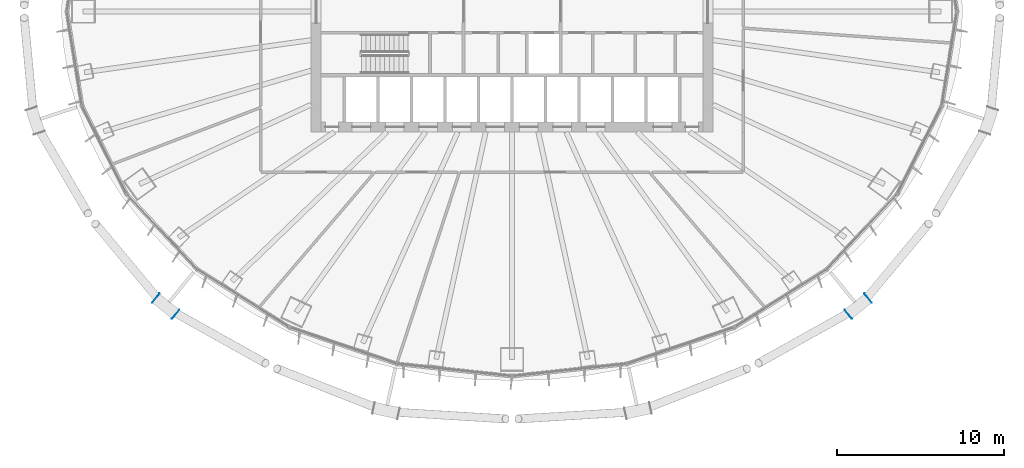
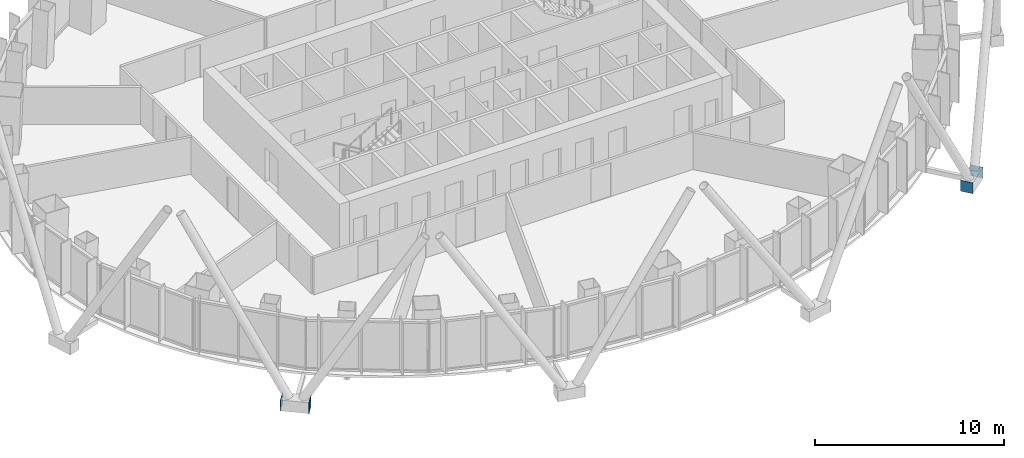
# One storey, part 11 of 18: 4 discrete accessories.
"""IFC4 building model written with IfcOpenShell, lengths in metres."""

import ifcopenshell
import ifcopenshell.guid

model = None  # the IFC model being written
_history = None  # IfcOwnerHistory: only IFC2X3 demands one
_inside = {}  # id of a spatial element -> (the spatial element, [elements in it])
_under = {}  # id of a project, library or spatial element -> (it, [spatial elements below it])
_declared = {}  # id of a project -> (the project, [libraries it declares])
_typed = {}  # id of a type object -> (the type object, [elements of that type])
_made_of = {}  # id of a material, layer set ... -> (it, [elements and type objects made of it])


def new_model(schema):
    """Start an empty IFC model of exactly this schema.

    Asked for "IFC4X3", IfcOpenShell would pick the latest addendum, in which some entities
    have other attributes; the version numbers below select the first issue.
    IFC2X3 requires an IfcOwnerHistory on every rooted entity: one is made here for all.
    """
    global model, _history
    if schema == "IFC4X3":
        model = ifcopenshell.file(schema_version=(4, 3, 0, 0))
    else:
        model = ifcopenshell.file(schema=schema)
    _inside.clear()
    _under.clear()
    _declared.clear()
    _typed.clear()
    _made_of.clear()
    _history = None
    if model.schema == "IFC2X3":
        org = make("IfcOrganization", Name="unknown")
        user = make(
            "IfcPersonAndOrganization",
            ThePerson=make("IfcPerson", FamilyName="unknown"),
            TheOrganization=org,
        )
        app = make(
            "IfcApplication",
            ApplicationDeveloper=org,
            Version="unknown",
            ApplicationFullName="unknown",
            ApplicationIdentifier="unknown",
        )
        _history = make(
            "IfcOwnerHistory",
            OwningUser=user,
            OwningApplication=app,
            ChangeAction="ADDED",
            CreationDate=0,
        )
    return model


def make(cls, **values):
    """One entity of the class cls with the attributes given. An attribute that is None is left unset."""
    return model.create_entity(
        cls, **{name: value for name, value in values.items() if value is not None}
    )


def rooted(cls, **values):
    """An entity with a GlobalId (a new one), such as an element, a storey or a relation."""
    return make(cls, GlobalId=ifcopenshell.guid.new(), OwnerHistory=_history, **values)


def si_unit(unit_type, name, prefix=None):
    """IfcSIUnit, for example si_unit("LENGTHUNIT", "METRE", prefix="MILLI")."""
    return make("IfcSIUnit", UnitType=unit_type, Prefix=prefix, Name=name)


def assignment(units):
    """IfcUnitAssignment: the units of a project."""
    return None if units is None else make("IfcUnitAssignment", Units=units)


def point(xyz):
    """IfcCartesianPoint."""
    return None if xyz is None else make("IfcCartesianPoint", Coordinates=xyz)


def direction(xyz):
    """IfcDirection."""
    return None if xyz is None else make("IfcDirection", DirectionRatios=xyz)


def frame(location, z_axis=None, x_axis=None):
    """IfcAxis2Placement3D, a coordinate frame: its origin and axes. An axis left out is left unset."""
    return make(
        "IfcAxis2Placement3D",
        Location=point(location),
        Axis=direction(z_axis),
        RefDirection=direction(x_axis),
    )


def frame_2d(location, x_axis=None):
    """IfcAxis2Placement2D, a coordinate frame in the plane: its origin and x axis."""
    return make(
        "IfcAxis2Placement2D", Location=point(location), RefDirection=direction(x_axis)
    )


def origin():
    """The frame at (0, 0, 0) with its axes left unset."""
    return frame((0.0, 0.0, 0.0))


def origin_2d():
    """The frame at (0, 0) in the plane with its x axis left unset."""
    return frame_2d((0.0, 0.0))


def place(relative_to, where):
    """IfcLocalPlacement: puts the frame where relative to a parent placement (None: the world)."""
    return make(
        "IfcLocalPlacement", PlacementRelTo=relative_to, RelativePlacement=where
    )


def context(
    kind, dimensions, precision=None, world=None, true_north=None, identifier=None
):
    """IfcGeometricRepresentationContext, for example the 3D "Model" context."""
    return make(
        "IfcGeometricRepresentationContext",
        ContextIdentifier=identifier,
        ContextType=kind,
        CoordinateSpaceDimension=dimensions,
        Precision=precision,
        WorldCoordinateSystem=world,
        TrueNorth=true_north,
    )


def subcontext(parent, identifier, kind, view, scale=None):
    """IfcGeometricRepresentationSubContext, for example "Body" below "Model"."""
    return make(
        "IfcGeometricRepresentationSubContext",
        ContextIdentifier=identifier,
        ContextType=kind,
        ParentContext=parent,
        TargetScale=scale,
        TargetView=view,
    )


def project(units=None, contexts=None):
    """IfcProject with its units and contexts."""
    return rooted(
        "IfcProject",
        Name="project",
        RepresentationContexts=contexts,
        UnitsInContext=assignment(units),
    )


def spatial(cls, under=None, at=None, **own):
    """A site, building, storey or space (cls), placed at a placement, below another one or the project."""
    s = rooted(cls, ObjectPlacement=at, **own)
    if under is not None:
        _under.setdefault(under.id(), (under, []))[1].append(s)
    return s


def profile(cls, at=None, kind="AREA", **sizes):
    """A parametric profile (cls). Its sizes go by their IFC names, for example OverallWidth=200.0."""
    return make(cls, ProfileType=kind, Position=at, **sizes)


def rectangle(**sizes):
    """IfcRectangleProfileDef."""
    return profile("IfcRectangleProfileDef", **sizes)


def extrude(swept, where, along, depth):
    """IfcExtrudedAreaSolid: the profile swept, set in the frame where, extruded along a direction by depth."""
    return make(
        "IfcExtrudedAreaSolid",
        SweptArea=swept,
        Position=where,
        ExtrudedDirection=direction(along),
        Depth=depth,
    )


def shape(context_of_items, identifier, shape_type, items):
    """IfcShapeRepresentation: the items that make up one representation, for example the "Body"."""
    return make(
        "IfcShapeRepresentation",
        ContextOfItems=context_of_items,
        RepresentationIdentifier=identifier,
        RepresentationType=shape_type,
        Items=items,
    )


def material(Name=None, Category=None):
    """IfcMaterial."""
    return make("IfcMaterial", Name=Name, Category=Category)


def layer(
    of_material, thickness, ventilated=None, Name=None, Category=None, Priority=None
):
    """IfcMaterialLayer: one layer of a wall or slab, of a material (None: an air gap)."""
    return make(
        "IfcMaterialLayer",
        Material=of_material,
        LayerThickness=thickness,
        IsVentilated=ventilated,
        Name=Name,
        Category=Category,
        Priority=Priority,
    )


def layer_set(layers, Name=None):
    """IfcMaterialLayerSet."""
    return make("IfcMaterialLayerSet", MaterialLayers=layers, LayerSetName=Name)


def made_of(thing, what):
    """Note that an element or type object is made of a material, layer set ...; save() writes the relation."""
    if what is not None:
        _made_of.setdefault(what.id(), (what, []))[1].append(thing)
    return thing


def type_object(cls, material=None, **own):
    """A type object (cls), such as IfcWallType, which elements share."""
    return made_of(rooted(cls, **own), material)


def element(
    cls,
    number,
    at=None,
    inside=None,
    cuts=None,
    type_object=None,
    material=None,
    context=None,
    identifier="Body",
    shape_type=None,
    held_by="IfcProductDefinitionShape",
    body=None,
    shapes=None,
    **own,
):
    """One element of the class cls, such as IfcWall. Its Tag is "e" and its number.

    at: its placement. inside: the storey or other place that contains it. cuts: it is an
    opening in that element (IfcRelVoidsElement). A single representation is given by context,
    identifier, shape_type and body (its items); several are given by shapes. held_by: the class
    of the entity that holds the representations. save() writes the other relations.
    """
    e = rooted(cls, Tag="e%d" % number, ObjectPlacement=at, **own)
    if body is not None:
        shapes = [shape(context, identifier, shape_type, body)]
    if shapes is not None:
        e.Representation = make(held_by, Representations=shapes)
    if inside is not None:
        _inside.setdefault(inside.id(), (inside, []))[1].append(e)
    if cuts is not None:
        rooted(
            "IfcRelVoidsElement", RelatingBuildingElement=cuts, RelatedOpeningElement=e
        )
    if type_object is not None:
        _typed.setdefault(type_object.id(), (type_object, []))[1].append(e)
    return made_of(e, material)


def aggregate(whole, parts):
    """IfcRelAggregates: a whole, such as a stair, and the parts it consists of."""
    return rooted("IfcRelAggregates", RelatingObject=whole, RelatedObjects=parts)


def save(model, path):
    """Write the relations noted so far, then the file.

    IfcRelAggregates (storeys below a building ...), IfcRelContainedInSpatialStructure (elements
    in a storey), IfcRelDefinesByType, IfcRelAssociatesMaterial and IfcRelDeclares: one each for
    every whole, place, type object, material and project.
    """
    for whole, parts in _under.values():
        aggregate(whole, parts)
    for where, things in _inside.values():
        rooted(
            "IfcRelContainedInSpatialStructure",
            RelatedElements=things,
            RelatingStructure=where,
        )
    for kind, things in _typed.values():
        rooted("IfcRelDefinesByType", RelatedObjects=things, RelatingType=kind)
    for what, things in _made_of.values():
        rooted("IfcRelAssociatesMaterial", RelatedObjects=things, RelatingMaterial=what)
    for by, libraries in _declared.values():
        rooted("IfcRelDeclares", RelatingContext=by, RelatedDefinitions=libraries)
    model.write(path)


model = new_model("IFC4")

# Units and contexts
model_context = context("Model", 3, precision=1e-05, world=origin(), true_north=direction((0.0, 1.0)))
body_context = subcontext(model_context, "Body", "Model", "MODEL_VIEW")
ifc_project = project(units=[si_unit("LENGTHUNIT", "METRE"), si_unit("AREAUNIT", "SQUARE_METRE"), si_unit("VOLUMEUNIT", "CUBIC_METRE"), si_unit("PLANEANGLEUNIT", "RADIAN"), si_unit("MASSUNIT", "GRAM", prefix="KILO")], contexts=[model_context])

# Site, building, storey
site_placement = place(None, origin())
site = spatial("IfcSite", under=ifc_project, at=site_placement, CompositionType="ELEMENT")
building_placement = place(site_placement, origin())
building = spatial("IfcBuilding", under=site, at=building_placement, Name="Siaravel Broadcast Tower", CompositionType="ELEMENT")
storey_placement = place(building_placement, frame((0.0, 0.0, 81.5)))
storey = spatial("IfcBuildingStorey", under=building, at=storey_placement, Name="L19", CompositionType="ELEMENT", Elevation=81.5)

# Discrete accessories
ifc_material = material(Name="Steel S355", Category="steel")
ifc_layer = layer(ifc_material, 0.02001953125)
ifc_layer_set = layer_set([ifc_layer], Name="Steel S355")
discrete_accessory_type = type_object("IfcDiscreteAccessoryType", Name="Steel end plate 20 mm", PredefinedType="USERDEFINED", material=ifc_layer_set)
for number, where, z_axis, x_axis, name in (
    (1, (-20.087646484375, -18.08349609375, -0.5498046875), (0.0, 0.0, 1.0), (0.773603588, -0.633669858, 0.0), "End plate R08 station 45A"),
    (2, (-21.268798828125, -17.1162109375, -0.5498046875), (0.0, 0.0, 1.0), (0.773603588, -0.633669858, 0.0), "End plate R08 station 45B"),
    (3, (21.268798828125, -17.1162109375, -0.5498046875), (0.0, 0.0, 1.0), (0.773603588, 0.633669858, 0.0), "End plate R08 station 63A"),
    (4, (20.087646484375, -18.08349609375, -0.5498046875), (0.0, 0.0, 1.0), (0.773603588, 0.633669858, 0.0), "End plate R08 station 63B"),
):
    element("IfcDiscreteAccessory", number, at=place(storey_placement, frame(where, z_axis=z_axis, x_axis=x_axis)), inside=storey, type_object=discrete_accessory_type, Name=name, ObjectType="END PLATE", PredefinedType="USERDEFINED", context=body_context, shape_type="SweptSolid", body=[
        extrude(rectangle(XDim=0.02001953125, YDim=0.699951171875, at=origin_2d()), origin(), (0.0, 0.0, 1.0), 0.699951171875),
    ])

save(model, "model.ifc")
